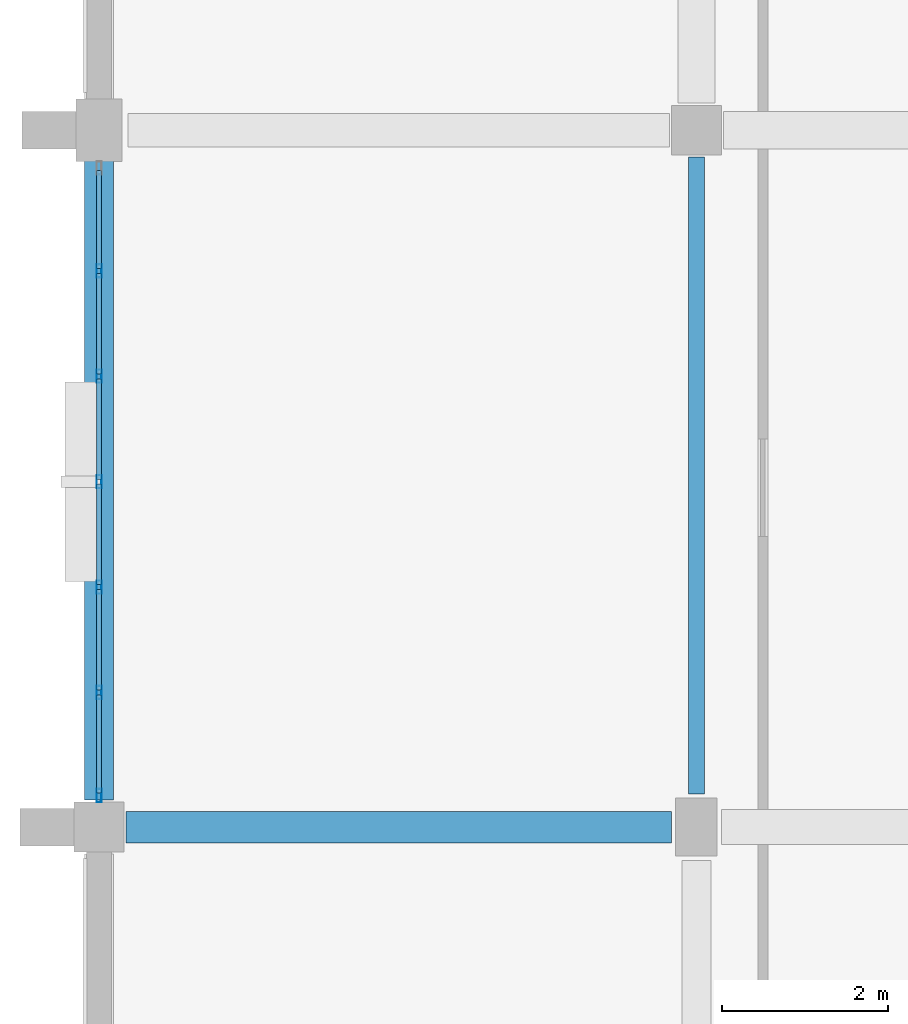
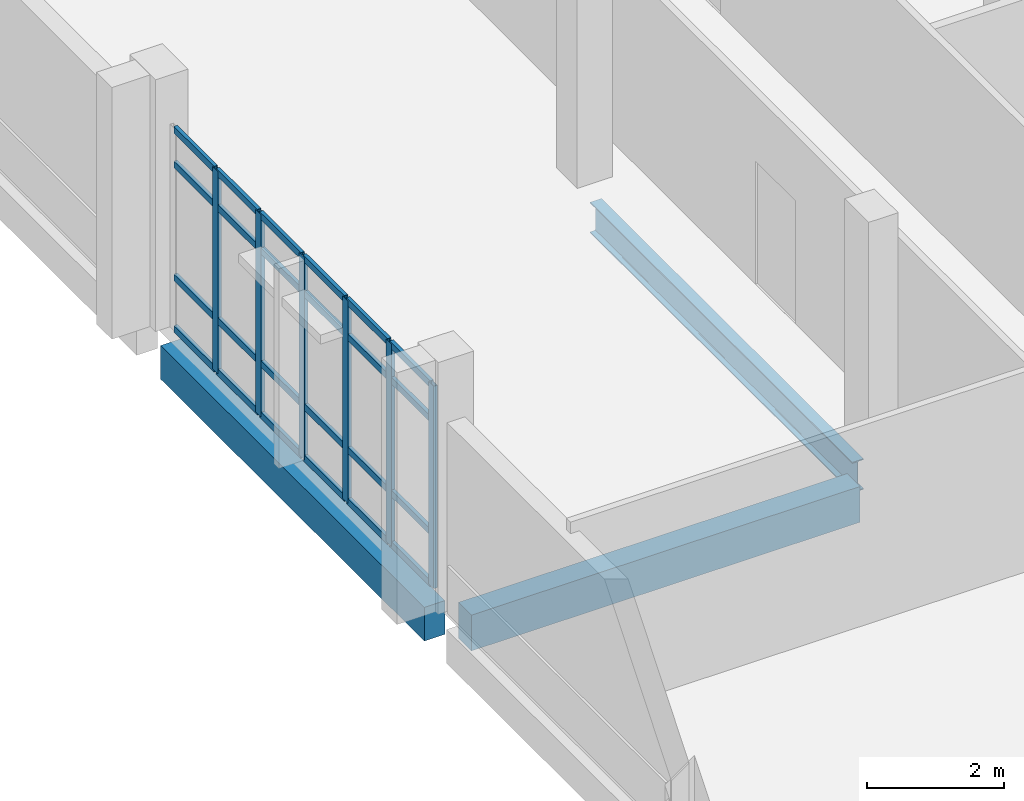
# One storey, part 27 of 87: 30 members, 3 beams, 1 element without a shape of its own.
"""IFC4 building model written with IfcOpenShell, lengths in metres."""

from ifc_helpers import new_model, si_unit, direction, frame, origin, origin_2d, place, context, subcontext, project, spatial, rectangle, hollow_rectangle, i_section, extrude, material, material_profile, profile_set, type_object, element, aggregate, save


model = new_model("IFC4")

# Units and contexts
model_context = context("Model", 3, precision=1e-05, world=origin(), true_north=direction((0.0, 1.0)))
body_context = subcontext(model_context, "Body", "Model", "MODEL_VIEW")
ifc_project = project(units=[si_unit("LENGTHUNIT", "METRE"), si_unit("AREAUNIT", "SQUARE_METRE"), si_unit("VOLUMEUNIT", "CUBIC_METRE"), si_unit("PLANEANGLEUNIT", "RADIAN"), si_unit("MASSUNIT", "GRAM", prefix="KILO")], contexts=[model_context])

# Site, building, storey
site_placement = place(None, origin())
site = spatial("IfcSite", under=ifc_project, at=site_placement, CompositionType="ELEMENT")
building_placement = place(site_placement, origin())
building = spatial("IfcBuilding", under=site, at=building_placement, Name="Kalluvel Institute of Natural Sciences", CompositionType="ELEMENT")
storey_placement = place(building_placement, frame((0.0, 0.0, 18.89990234375)))
storey = spatial("IfcBuildingStorey", under=building, at=storey_placement, Name="L04", CompositionType="ELEMENT", Elevation=18.89990234375)

# Beams
ifc_material_1 = material(Name="Steel E350 Grade 350", Category="steel")
ifc_material_profile_1 = material_profile(ifc_material_1, i_section(OverallWidth=0.18994140625, OverallDepth=0.550048828125, WebThickness=0.01123046875, FlangeThickness=0.019287109375, FilletRadius=0.01806640625, at=origin_2d()), Name="ISMB 550")
ifc_profile_set_1 = profile_set([ifc_material_profile_1], Name="Steel E350 Grade 350")
beam_type_1 = type_object("IfcBeamType", Name="BM-ISMB550", PredefinedType="BEAM", material=ifc_profile_set_1)
beam_1_placement = place(storey_placement, frame((21.199951171875, 86.39990234375, -0.574951171875), z_axis=(0.0, 1.0, 0.0), x_axis=(-1.0, 0.0, 0.0)))
element("IfcBeam", 1, at=beam_1_placement, inside=storey, type_object=beam_type_1, Name="L04 girder GIR-L04-NS-X212-Y860", PredefinedType="BEAM", context=body_context, shape_type="SweptSolid", body=[
    extrude(i_section(OverallWidth=0.18994140625, OverallDepth=0.550048828125, WebThickness=0.01123046875, FlangeThickness=0.019287109375, FilletRadius=0.01806640625, at=origin_2d()), origin(), (0.0, 0.0, 1.0), 7.675048828125),
])
ifc_material_2 = material(Name="Concrete M40", Category="concrete")
ifc_material_profile_2 = material_profile(ifc_material_2, rectangle(XDim=0.3798828125, YDim=0.639892578125, at=origin_2d()), Name="RCB 380x640")
ifc_profile_set_2 = profile_set([ifc_material_profile_2], Name="Concrete M40")
beam_type_2 = type_object("IfcBeamType", Name="BM-RC380x640", PredefinedType="BEAM", material=ifc_profile_set_2)
beam_2_placement = place(storey_placement, frame((14.324951171875, 86.0, -0.619873046875), z_axis=(1.0, 0.0, 0.0), x_axis=(0.0, 1.0, 0.0)))
element("IfcBeam", 2, at=beam_2_placement, inside=storey, type_object=beam_type_2, Name="L04 girder GIR-L04-EW-X140-Y860", PredefinedType="BEAM", context=body_context, shape_type="SweptSolid", body=[
    extrude(rectangle(XDim=0.3798828125, YDim=0.639892578125, at=origin_2d()), origin(), (0.0, 0.0, 1.0), 6.574951171875),
])

# Curtain wall, members
ifc_material_3 = material(Name="Aluminium AW-6063 T6", Category="aluminium")
curtain_wall_type = type_object("IfcCurtainWallType", Name="CW-DRY-45", PredefinedType="USERDEFINED", material=ifc_material_3)
curtain_wall_placement = place(storey_placement, origin())
curtain_wall = element("IfcCurtainWall", 3, at=curtain_wall_placement, inside=storey, type_object=curtain_wall_type, Name="L04 Gothic lancet curtain wall CWA-L04-X140-Y864", ObjectType="UNITISED LANCET FACADE", PredefinedType="USERDEFINED")
ifc_material_profile_3 = material_profile(ifc_material_3, hollow_rectangle(XDim=0.06005859375, YDim=0.159912109375, WallThickness=0.00390625, at=origin_2d()), Name="CWM 60x160")
ifc_profile_set_3 = profile_set([ifc_material_profile_3], Name="Aluminium AW-6063 T6")
member_type_1 = type_object("IfcMemberType", Name="CWM-60x160", PredefinedType="MULLION", material=ifc_profile_set_3)
member_1_placement = place(storey_placement, frame((14.0, 86.3798828125, 0.0), z_axis=(0.0, 0.0, 1.0), x_axis=(-1.0, 0.0, 0.0)))
member_1 = element("IfcMember", 4, at=member_1_placement, type_object=member_type_1, Name="CW-03 mullion 1", PredefinedType="MULLION", context=body_context, shape_type="SweptSolid", body=[
    extrude(hollow_rectangle(XDim=0.06005859375, YDim=0.159912109375, WallThickness=0.00390625, at=origin_2d()), origin(), (0.0, 0.0, 1.0), 3.6201171875),
])
member_2_placement = place(storey_placement, frame((14.0, 87.620849609375, 0.0), z_axis=(0.0, 0.0, 1.0), x_axis=(-1.0, 0.0, 0.0)))
member_2 = element("IfcMember", 5, at=member_2_placement, type_object=member_type_1, Name="CW-03 mullion 2", PredefinedType="MULLION", context=body_context, shape_type="SweptSolid", body=[
    extrude(hollow_rectangle(XDim=0.06005859375, YDim=0.159912109375, WallThickness=0.00390625, at=origin_2d()), origin(), (0.0, 0.0, 1.0), 3.6201171875),
])
member_3_placement = place(storey_placement, frame((14.0, 88.8916015625, 0.0), z_axis=(0.0, 0.0, 1.0), x_axis=(-1.0, 0.0, 0.0)))
member_3 = element("IfcMember", 6, at=member_3_placement, type_object=member_type_1, Name="CW-03 mullion 3", PredefinedType="MULLION", context=body_context, shape_type="SweptSolid", body=[
    extrude(hollow_rectangle(XDim=0.06005859375, YDim=0.159912109375, WallThickness=0.00390625, at=origin_2d()), origin(), (0.0, 0.0, 1.0), 3.6201171875),
])
member_4_placement = place(storey_placement, frame((14.0, 90.16259765625, 0.0), z_axis=(0.0, 0.0, 1.0), x_axis=(-1.0, 0.0, 0.0)))
member_4 = element("IfcMember", 7, at=member_4_placement, type_object=member_type_1, Name="CW-03 mullion 4", PredefinedType="MULLION", context=body_context, shape_type="SweptSolid", body=[
    extrude(hollow_rectangle(XDim=0.06005859375, YDim=0.159912109375, WallThickness=0.00390625, at=origin_2d()), origin(), (0.0, 0.0, 1.0), 3.6201171875),
])
member_5_placement = place(storey_placement, frame((14.0, 91.433349609375, 0.0), z_axis=(0.0, 0.0, 1.0), x_axis=(-1.0, 0.0, 0.0)))
member_5 = element("IfcMember", 8, at=member_5_placement, type_object=member_type_1, Name="CW-03 mullion 5", PredefinedType="MULLION", context=body_context, shape_type="SweptSolid", body=[
    extrude(hollow_rectangle(XDim=0.06005859375, YDim=0.159912109375, WallThickness=0.00390625, at=origin_2d()), origin(), (0.0, 0.0, 1.0), 3.6201171875),
])
member_6_placement = place(storey_placement, frame((14.0, 92.7041015625, 0.0), z_axis=(0.0, 0.0, 1.0), x_axis=(-1.0, 0.0, 0.0)))
member_6 = element("IfcMember", 9, at=member_6_placement, type_object=member_type_1, Name="CW-03 mullion 6", PredefinedType="MULLION", context=body_context, shape_type="SweptSolid", body=[
    extrude(hollow_rectangle(XDim=0.06005859375, YDim=0.159912109375, WallThickness=0.00390625, at=origin_2d()), origin(), (0.0, 0.0, 1.0), 3.6201171875),
])
ifc_material_profile_4 = material_profile(ifc_material_3, hollow_rectangle(XDim=0.06005859375, YDim=0.1201171875, WallThickness=0.00390625, at=origin_2d()), Name="CWT 60x120")
ifc_profile_set_4 = profile_set([ifc_material_profile_4], Name="Aluminium AW-6063 T6")
member_type_2 = type_object("IfcMemberType", Name="CWT-60x120", PredefinedType="USERDEFINED", material=ifc_profile_set_4)
member_7_placement = place(storey_placement, frame((14.0, 86.409912109375, 0.030029296875), z_axis=(0.0, 1.0, 0.0), x_axis=(-1.0, 0.0, 0.0)))
member_7 = element("IfcMember", 10, at=member_7_placement, type_object=member_type_2, Name="CW-03 transom 1.1", ObjectType="TRANSOM", PredefinedType="USERDEFINED", context=body_context, shape_type="SweptSolid", body=[
    extrude(hollow_rectangle(XDim=0.06005859375, YDim=0.1201171875, WallThickness=0.00390625, at=origin_2d()), origin(), (0.0, 0.0, 1.0), 1.180908203125),
])
member_8_placement = place(storey_placement, frame((14.0, 86.409912109375, 0.9501953125), z_axis=(0.0, 1.0, 0.0), x_axis=(-1.0, 0.0, 0.0)))
member_8 = element("IfcMember", 11, at=member_8_placement, type_object=member_type_2, Name="CW-03 transom 1.2", ObjectType="TRANSOM", PredefinedType="USERDEFINED", context=body_context, shape_type="SweptSolid", body=[
    extrude(hollow_rectangle(XDim=0.06005859375, YDim=0.1201171875, WallThickness=0.00390625, at=origin_2d()), origin(), (0.0, 0.0, 1.0), 1.180908203125),
])
member_9_placement = place(storey_placement, frame((14.0, 86.409912109375, 2.97021484375), z_axis=(0.0, 1.0, 0.0), x_axis=(-1.0, 0.0, 0.0)))
member_9 = element("IfcMember", 12, at=member_9_placement, type_object=member_type_2, Name="CW-03 transom 1.3", ObjectType="TRANSOM", PredefinedType="USERDEFINED", context=body_context, shape_type="SweptSolid", body=[
    extrude(hollow_rectangle(XDim=0.06005859375, YDim=0.1201171875, WallThickness=0.00390625, at=origin_2d()), origin(), (0.0, 0.0, 1.0), 1.180908203125),
])
member_10_placement = place(storey_placement, frame((14.0, 86.409912109375, 3.590087890625), z_axis=(0.0, 1.0, 0.0), x_axis=(-1.0, 0.0, 0.0)))
member_10 = element("IfcMember", 13, at=member_10_placement, type_object=member_type_2, Name="CW-03 transom 1.4", ObjectType="TRANSOM", PredefinedType="USERDEFINED", context=body_context, shape_type="SweptSolid", body=[
    extrude(hollow_rectangle(XDim=0.06005859375, YDim=0.1201171875, WallThickness=0.00390625, at=origin_2d()), origin(), (0.0, 0.0, 1.0), 1.180908203125),
])
member_11_placement = place(storey_placement, frame((14.0, 87.65087890625, 0.030029296875), z_axis=(0.0, 1.0, 0.0), x_axis=(-1.0, 0.0, 0.0)))
member_11 = element("IfcMember", 14, at=member_11_placement, type_object=member_type_2, Name="CW-03 transom 2.1", ObjectType="TRANSOM", PredefinedType="USERDEFINED", context=body_context, shape_type="SweptSolid", body=[
    extrude(hollow_rectangle(XDim=0.06005859375, YDim=0.1201171875, WallThickness=0.00390625, at=origin_2d()), origin(), (0.0, 0.0, 1.0), 1.210693359375),
])
member_12_placement = place(storey_placement, frame((14.0, 87.65087890625, 0.9501953125), z_axis=(0.0, 1.0, 0.0), x_axis=(-1.0, 0.0, 0.0)))
member_12 = element("IfcMember", 15, at=member_12_placement, type_object=member_type_2, Name="CW-03 transom 2.2", ObjectType="TRANSOM", PredefinedType="USERDEFINED", context=body_context, shape_type="SweptSolid", body=[
    extrude(hollow_rectangle(XDim=0.06005859375, YDim=0.1201171875, WallThickness=0.00390625, at=origin_2d()), origin(), (0.0, 0.0, 1.0), 1.210693359375),
])
member_13_placement = place(storey_placement, frame((14.0, 87.65087890625, 2.97021484375), z_axis=(0.0, 1.0, 0.0), x_axis=(-1.0, 0.0, 0.0)))
member_13 = element("IfcMember", 16, at=member_13_placement, type_object=member_type_2, Name="CW-03 transom 2.3", ObjectType="TRANSOM", PredefinedType="USERDEFINED", context=body_context, shape_type="SweptSolid", body=[
    extrude(hollow_rectangle(XDim=0.06005859375, YDim=0.1201171875, WallThickness=0.00390625, at=origin_2d()), origin(), (0.0, 0.0, 1.0), 1.210693359375),
])
member_14_placement = place(storey_placement, frame((14.0, 87.65087890625, 3.590087890625), z_axis=(0.0, 1.0, 0.0), x_axis=(-1.0, 0.0, 0.0)))
member_14 = element("IfcMember", 17, at=member_14_placement, type_object=member_type_2, Name="CW-03 transom 2.4", ObjectType="TRANSOM", PredefinedType="USERDEFINED", context=body_context, shape_type="SweptSolid", body=[
    extrude(hollow_rectangle(XDim=0.06005859375, YDim=0.1201171875, WallThickness=0.00390625, at=origin_2d()), origin(), (0.0, 0.0, 1.0), 1.210693359375),
])
member_15_placement = place(storey_placement, frame((14.0, 88.921630859375, 0.030029296875), z_axis=(0.0, 1.0, 0.0), x_axis=(-1.0, 0.0, 0.0)))
member_15 = element("IfcMember", 18, at=member_15_placement, type_object=member_type_2, Name="CW-03 transom 3.1", ObjectType="TRANSOM", PredefinedType="USERDEFINED", context=body_context, shape_type="SweptSolid", body=[
    extrude(hollow_rectangle(XDim=0.06005859375, YDim=0.1201171875, WallThickness=0.00390625, at=origin_2d()), origin(), (0.0, 0.0, 1.0), 1.2109375),
])
member_16_placement = place(storey_placement, frame((14.0, 88.921630859375, 0.9501953125), z_axis=(0.0, 1.0, 0.0), x_axis=(-1.0, 0.0, 0.0)))
member_16 = element("IfcMember", 19, at=member_16_placement, type_object=member_type_2, Name="CW-03 transom 3.2", ObjectType="TRANSOM", PredefinedType="USERDEFINED", context=body_context, shape_type="SweptSolid", body=[
    extrude(hollow_rectangle(XDim=0.06005859375, YDim=0.1201171875, WallThickness=0.00390625, at=origin_2d()), origin(), (0.0, 0.0, 1.0), 1.2109375),
])
member_17_placement = place(storey_placement, frame((14.0, 88.921630859375, 2.97021484375), z_axis=(0.0, 1.0, 0.0), x_axis=(-1.0, 0.0, 0.0)))
member_17 = element("IfcMember", 20, at=member_17_placement, type_object=member_type_2, Name="CW-03 transom 3.3", ObjectType="TRANSOM", PredefinedType="USERDEFINED", context=body_context, shape_type="SweptSolid", body=[
    extrude(hollow_rectangle(XDim=0.06005859375, YDim=0.1201171875, WallThickness=0.00390625, at=origin_2d()), origin(), (0.0, 0.0, 1.0), 1.2109375),
])
member_18_placement = place(storey_placement, frame((14.0, 88.921630859375, 3.590087890625), z_axis=(0.0, 1.0, 0.0), x_axis=(-1.0, 0.0, 0.0)))
member_18 = element("IfcMember", 21, at=member_18_placement, type_object=member_type_2, Name="CW-03 transom 3.4", ObjectType="TRANSOM", PredefinedType="USERDEFINED", context=body_context, shape_type="SweptSolid", body=[
    extrude(hollow_rectangle(XDim=0.06005859375, YDim=0.1201171875, WallThickness=0.00390625, at=origin_2d()), origin(), (0.0, 0.0, 1.0), 1.2109375),
])
member_19_placement = place(storey_placement, frame((14.0, 90.1923828125, 0.030029296875), z_axis=(0.0, 1.0, 0.0), x_axis=(-1.0, 0.0, 0.0)))
member_19 = element("IfcMember", 22, at=member_19_placement, type_object=member_type_2, Name="CW-03 transom 4.1", ObjectType="TRANSOM", PredefinedType="USERDEFINED", context=body_context, shape_type="SweptSolid", body=[
    extrude(hollow_rectangle(XDim=0.06005859375, YDim=0.1201171875, WallThickness=0.00390625, at=origin_2d()), origin(), (0.0, 0.0, 1.0), 1.2109375),
])
member_20_placement = place(storey_placement, frame((14.0, 90.1923828125, 0.9501953125), z_axis=(0.0, 1.0, 0.0), x_axis=(-1.0, 0.0, 0.0)))
member_20 = element("IfcMember", 23, at=member_20_placement, type_object=member_type_2, Name="CW-03 transom 4.2", ObjectType="TRANSOM", PredefinedType="USERDEFINED", context=body_context, shape_type="SweptSolid", body=[
    extrude(hollow_rectangle(XDim=0.06005859375, YDim=0.1201171875, WallThickness=0.00390625, at=origin_2d()), origin(), (0.0, 0.0, 1.0), 1.2109375),
])
member_21_placement = place(storey_placement, frame((14.0, 90.1923828125, 2.97021484375), z_axis=(0.0, 1.0, 0.0), x_axis=(-1.0, 0.0, 0.0)))
member_21 = element("IfcMember", 24, at=member_21_placement, type_object=member_type_2, Name="CW-03 transom 4.3", ObjectType="TRANSOM", PredefinedType="USERDEFINED", context=body_context, shape_type="SweptSolid", body=[
    extrude(hollow_rectangle(XDim=0.06005859375, YDim=0.1201171875, WallThickness=0.00390625, at=origin_2d()), origin(), (0.0, 0.0, 1.0), 1.2109375),
])
member_22_placement = place(storey_placement, frame((14.0, 90.1923828125, 3.590087890625), z_axis=(0.0, 1.0, 0.0), x_axis=(-1.0, 0.0, 0.0)))
member_22 = element("IfcMember", 25, at=member_22_placement, type_object=member_type_2, Name="CW-03 transom 4.4", ObjectType="TRANSOM", PredefinedType="USERDEFINED", context=body_context, shape_type="SweptSolid", body=[
    extrude(hollow_rectangle(XDim=0.06005859375, YDim=0.1201171875, WallThickness=0.00390625, at=origin_2d()), origin(), (0.0, 0.0, 1.0), 1.2109375),
])
member_23_placement = place(storey_placement, frame((14.0, 91.46337890625, 0.030029296875), z_axis=(0.0, 1.0, 0.0), x_axis=(-1.0, 0.0, 0.0)))
member_23 = element("IfcMember", 26, at=member_23_placement, type_object=member_type_2, Name="CW-03 transom 5.1", ObjectType="TRANSOM", PredefinedType="USERDEFINED", context=body_context, shape_type="SweptSolid", body=[
    extrude(hollow_rectangle(XDim=0.06005859375, YDim=0.1201171875, WallThickness=0.00390625, at=origin_2d()), origin(), (0.0, 0.0, 1.0), 1.210693359375),
])
member_24_placement = place(storey_placement, frame((14.0, 91.46337890625, 0.9501953125), z_axis=(0.0, 1.0, 0.0), x_axis=(-1.0, 0.0, 0.0)))
member_24 = element("IfcMember", 27, at=member_24_placement, type_object=member_type_2, Name="CW-03 transom 5.2", ObjectType="TRANSOM", PredefinedType="USERDEFINED", context=body_context, shape_type="SweptSolid", body=[
    extrude(hollow_rectangle(XDim=0.06005859375, YDim=0.1201171875, WallThickness=0.00390625, at=origin_2d()), origin(), (0.0, 0.0, 1.0), 1.210693359375),
])
member_25_placement = place(storey_placement, frame((14.0, 91.46337890625, 2.97021484375), z_axis=(0.0, 1.0, 0.0), x_axis=(-1.0, 0.0, 0.0)))
member_25 = element("IfcMember", 28, at=member_25_placement, type_object=member_type_2, Name="CW-03 transom 5.3", ObjectType="TRANSOM", PredefinedType="USERDEFINED", context=body_context, shape_type="SweptSolid", body=[
    extrude(hollow_rectangle(XDim=0.06005859375, YDim=0.1201171875, WallThickness=0.00390625, at=origin_2d()), origin(), (0.0, 0.0, 1.0), 1.210693359375),
])
member_26_placement = place(storey_placement, frame((14.0, 91.46337890625, 3.590087890625), z_axis=(0.0, 1.0, 0.0), x_axis=(-1.0, 0.0, 0.0)))
member_26 = element("IfcMember", 29, at=member_26_placement, type_object=member_type_2, Name="CW-03 transom 5.4", ObjectType="TRANSOM", PredefinedType="USERDEFINED", context=body_context, shape_type="SweptSolid", body=[
    extrude(hollow_rectangle(XDim=0.06005859375, YDim=0.1201171875, WallThickness=0.00390625, at=origin_2d()), origin(), (0.0, 0.0, 1.0), 1.210693359375),
])
member_27_placement = place(storey_placement, frame((14.0, 92.734130859375, 0.030029296875), z_axis=(0.0, 1.0, 0.0), x_axis=(-1.0, 0.0, 0.0)))
member_27 = element("IfcMember", 30, at=member_27_placement, type_object=member_type_2, Name="CW-03 transom 6.1", ObjectType="TRANSOM", PredefinedType="USERDEFINED", context=body_context, shape_type="SweptSolid", body=[
    extrude(hollow_rectangle(XDim=0.06005859375, YDim=0.1201171875, WallThickness=0.00390625, at=origin_2d()), origin(), (0.0, 0.0, 1.0), 1.180908203125),
])
member_28_placement = place(storey_placement, frame((14.0, 92.734130859375, 0.9501953125), z_axis=(0.0, 1.0, 0.0), x_axis=(-1.0, 0.0, 0.0)))
member_28 = element("IfcMember", 31, at=member_28_placement, type_object=member_type_2, Name="CW-03 transom 6.2", ObjectType="TRANSOM", PredefinedType="USERDEFINED", context=body_context, shape_type="SweptSolid", body=[
    extrude(hollow_rectangle(XDim=0.06005859375, YDim=0.1201171875, WallThickness=0.00390625, at=origin_2d()), origin(), (0.0, 0.0, 1.0), 1.180908203125),
])
member_29_placement = place(storey_placement, frame((14.0, 92.734130859375, 2.97021484375), z_axis=(0.0, 1.0, 0.0), x_axis=(-1.0, 0.0, 0.0)))
member_29 = element("IfcMember", 32, at=member_29_placement, type_object=member_type_2, Name="CW-03 transom 6.3", ObjectType="TRANSOM", PredefinedType="USERDEFINED", context=body_context, shape_type="SweptSolid", body=[
    extrude(hollow_rectangle(XDim=0.06005859375, YDim=0.1201171875, WallThickness=0.00390625, at=origin_2d()), origin(), (0.0, 0.0, 1.0), 1.180908203125),
])
member_30_placement = place(storey_placement, frame((14.0, 92.734130859375, 3.590087890625), z_axis=(0.0, 1.0, 0.0), x_axis=(-1.0, 0.0, 0.0)))
member_30 = element("IfcMember", 33, at=member_30_placement, type_object=member_type_2, Name="CW-03 transom 6.4", ObjectType="TRANSOM", PredefinedType="USERDEFINED", context=body_context, shape_type="SweptSolid", body=[
    extrude(hollow_rectangle(XDim=0.06005859375, YDim=0.1201171875, WallThickness=0.00390625, at=origin_2d()), origin(), (0.0, 0.0, 1.0), 1.180908203125),
])
aggregate(curtain_wall, [member_1, member_2, member_3, member_4, member_5, member_6, member_7, member_8, member_9, member_10, member_11, member_12, member_13, member_14, member_15, member_16, member_17, member_18, member_19, member_20, member_21, member_22, member_23, member_24, member_25, member_26, member_27, member_28, member_29, member_30])

# Beam
ifc_material_profile_5 = material_profile(ifc_material_2, rectangle(XDim=0.35009765625, YDim=0.60009765625, at=origin_2d()), Name="RCB 350x600")
ifc_profile_set_5 = profile_set([ifc_material_profile_5], Name="Concrete M40")
beam_type_3 = type_object("IfcBeamType", Name="SP-RC350x600", PredefinedType="SPANDREL", material=ifc_profile_set_5)
beam_3_placement = place(storey_placement, frame((14.0, 86.324951171875, -0.599853515625), z_axis=(0.0, 1.0, 0.0), x_axis=(-1.0, 0.0, 0.0)))
element("IfcBeam", 34, at=beam_3_placement, inside=storey, type_object=beam_type_3, Name="L04 girder GIR-L04-NS-X140-Y860", PredefinedType="SPANDREL", context=body_context, shape_type="SweptSolid", body=[
    extrude(rectangle(XDim=0.35009765625, YDim=0.60009765625, at=origin_2d()), origin(), (0.0, 0.0, 1.0), 7.72509765625),
])

save(model, "model.ifc")
